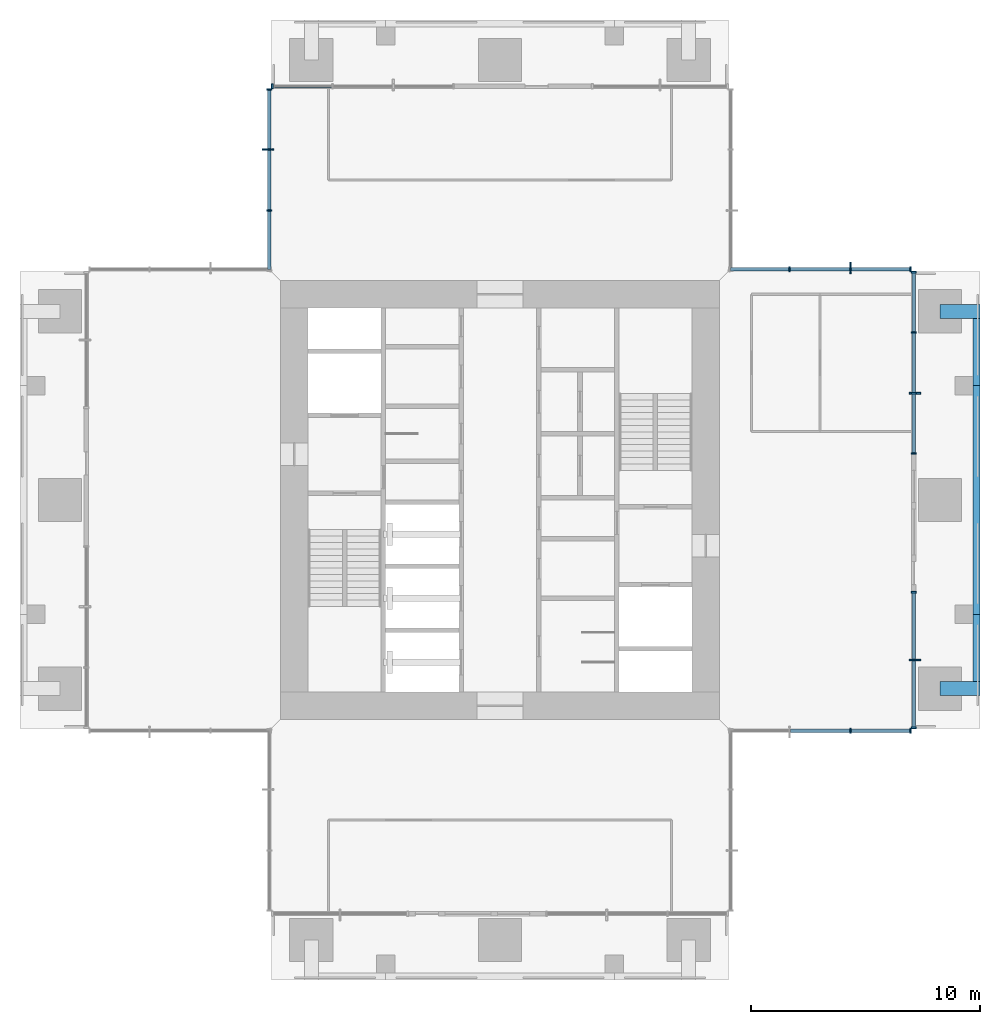
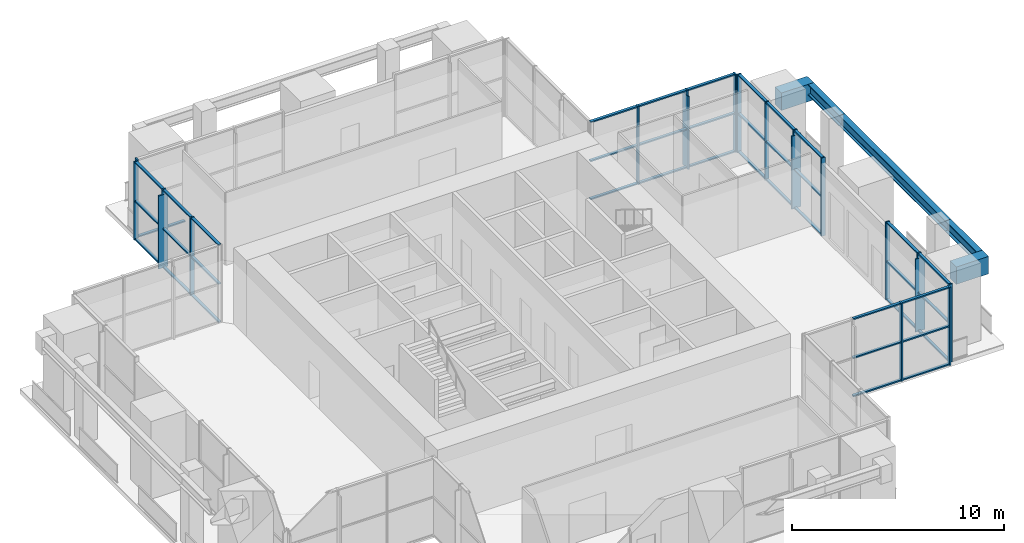
# One storey, part 4 of 11: 60 members, 5 beams, 6 elements without a shape of their own.
"""IFC4 building model written with IfcOpenShell, lengths in metres."""

from ifc_helpers import new_model, si_unit, direction, frame, origin, origin_2d, place, context, subcontext, project, spatial, rectangle, i_section, extrude, material, material_profile, profile_set, type_object, element, aggregate, save


model = new_model("IFC4")

# Units and contexts
model_context = context("Model", 3, precision=1e-05, world=origin(), true_north=direction((0.0, 1.0)))
body_context = subcontext(model_context, "Body", "Model", "MODEL_VIEW")
ifc_project = project(units=[si_unit("LENGTHUNIT", "METRE"), si_unit("AREAUNIT", "SQUARE_METRE"), si_unit("VOLUMEUNIT", "CUBIC_METRE"), si_unit("PLANEANGLEUNIT", "RADIAN"), si_unit("MASSUNIT", "GRAM", prefix="KILO")], contexts=[model_context])

# Site, building, storey
site_placement = place(None, origin())
site = spatial("IfcSite", under=ifc_project, at=site_placement, CompositionType="ELEMENT")
building_placement = place(site_placement, origin())
building = spatial("IfcBuilding", under=site, at=building_placement, Name="Svetlomir Tower", CompositionType="ELEMENT")
storey_placement = place(building_placement, frame((0.0, 0.0, 273.39990234375)))
storey = spatial("IfcBuildingStorey", under=building, at=storey_placement, Name="L65", CompositionType="ELEMENT", Elevation=273.39990234375)

# Curtain wall, member
ifc_material_1 = material(Name="Bronze anodised aluminium curtain wall", Category="aluminium")
curtain_wall_type = type_object("IfcCurtainWallType", Name="CURTAIN WALL CW4 EXECUTIVE", PredefinedType="NOTDEFINED", material=ifc_material_1)
curtain_wall_1_placement = place(storey_placement, origin())
curtain_wall_1 = element("IfcCurtainWall", 1, at=curtain_wall_1_placement, inside=storey, type_object=curtain_wall_type, Name="Curtain wall CW4 L65", PredefinedType="NOTDEFINED")
ifc_material_2 = material(Name="Bronze anodised aluminium", Category="aluminium")
ifc_material_profile_1 = material_profile(ifc_material_2, rectangle(XDim=0.080078125, YDim=0.5, at=origin_2d()), Name="FIN 80x500")
ifc_profile_set_1 = profile_set([ifc_material_profile_1], Name="Bronze anodised aluminium 6063-T6")
member_type_1 = type_object("IfcMemberType", Name="BRONZE FIN 80x500", PredefinedType="USERDEFINED", material=ifc_profile_set_1)
member_1_placement = place(storey_placement, frame((39.14990234375, 14.0, 0.0), z_axis=(0.0, 0.0, 1.0), x_axis=(0.0, 1.0, 0.0)))
member_1 = element("IfcMember", 2, at=member_1_placement, type_object=member_type_1, Name="Bronze fin L65", ObjectType="FIN", PredefinedType="USERDEFINED", context=body_context, shape_type="SweptSolid", body=[
    extrude(rectangle(XDim=0.080078125, YDim=0.5, at=origin_2d()), origin(), (0.0, 0.0, 1.0), 4.2001953125),
])

curtain_wall_2_placement = place(storey_placement, origin())
curtain_wall_2 = element("IfcCurtainWall", 3, at=curtain_wall_2_placement, inside=storey, type_object=curtain_wall_type, Name="Curtain wall CW4 L65", PredefinedType="NOTDEFINED")
member_2_placement = place(storey_placement, frame((39.14990234375, 25.666748046875, 0.0), z_axis=(0.0, 0.0, 1.0), x_axis=(0.0, 1.0, 0.0)))
member_2 = element("IfcMember", 4, at=member_2_placement, type_object=member_type_1, Name="Bronze fin L65", ObjectType="FIN", PredefinedType="USERDEFINED", context=body_context, shape_type="SweptSolid", body=[
    extrude(rectangle(XDim=0.080078125, YDim=0.5, at=origin_2d()), origin(), (0.0, 0.0, 1.0), 4.2001953125),
])

curtain_wall_3_placement = place(storey_placement, origin())
curtain_wall_3 = element("IfcCurtainWall", 5, at=curtain_wall_3_placement, inside=storey, type_object=curtain_wall_type, Name="Curtain wall CW4 L65", PredefinedType="NOTDEFINED")
member_3_placement = place(storey_placement, frame((36.333251953125, 31.14990234375, 0.0), z_axis=(0.0, 0.0, 1.0), x_axis=(1.0, 0.0, 0.0)))
member_3 = element("IfcMember", 6, at=member_3_placement, type_object=member_type_1, Name="Bronze fin L65", ObjectType="FIN", PredefinedType="USERDEFINED", context=body_context, shape_type="SweptSolid", body=[
    extrude(rectangle(XDim=0.080078125, YDim=0.5, at=origin_2d()), origin(), (0.0, 0.0, 1.0), 4.2001953125),
])

curtain_wall_4_placement = place(storey_placement, origin())
curtain_wall_4 = element("IfcCurtainWall", 7, at=curtain_wall_4_placement, inside=storey, type_object=curtain_wall_type, Name="Curtain wall CW4 L65", PredefinedType="NOTDEFINED")
member_4_placement = place(storey_placement, frame((10.85009765625, 36.333251953125, 0.0), z_axis=(0.0, 0.0, 1.0), x_axis=(0.0, 1.0, 0.0)))
member_4 = element("IfcMember", 8, at=member_4_placement, type_object=member_type_1, Name="Bronze fin L65", ObjectType="FIN", PredefinedType="USERDEFINED", context=body_context, shape_type="SweptSolid", body=[
    extrude(rectangle(XDim=0.080078125, YDim=0.5, at=origin_2d()), origin(), (0.0, 0.0, 1.0), 4.2001953125),
])

# Curtain wall, members
curtain_wall_5_placement = place(storey_placement, origin())
curtain_wall_5 = element("IfcCurtainWall", 9, at=curtain_wall_5_placement, inside=storey, type_object=curtain_wall_type, Name="Curtain wall CW4 L65", PredefinedType="NOTDEFINED")
ifc_material_3 = material(Name="Bronze anodised aluminium", Category="aluminium")
ifc_material_profile_2 = material_profile(ifc_material_3, rectangle(XDim=0.074951171875, YDim=0.219970703125, at=origin_2d()), Name="AL 75x220")
ifc_profile_set_2 = profile_set([ifc_material_profile_2], Name="Bronze anodised aluminium 6063-T6")
member_type_2 = type_object("IfcMemberType", Name="CW4 MULLION 75x220", PredefinedType="MULLION", material=ifc_profile_set_2)
member_5_placement = place(storey_placement, frame((36.333251953125, 10.89990234375, 0.0), z_axis=(0.0, 0.0, 1.0), x_axis=(1.0, 0.0, 0.0)))
member_5 = element("IfcMember", 10, at=member_5_placement, type_object=member_type_2, Name="CW4 mullion 3", PredefinedType="MULLION", context=body_context, shape_type="SweptSolid", body=[
    extrude(rectangle(XDim=0.074951171875, YDim=0.219970703125, at=origin_2d()), origin(), (0.0, 0.0, 1.0), 4.5),
])
member_6_placement = place(storey_placement, frame((38.96240234375, 10.89990234375, 0.0), z_axis=(0.0, 0.0, 1.0), x_axis=(1.0, 0.0, 0.0)))
member_6 = element("IfcMember", 11, at=member_6_placement, type_object=member_type_2, Name="CW4 mullion 4", PredefinedType="MULLION", context=body_context, shape_type="SweptSolid", body=[
    extrude(rectangle(XDim=0.074951171875, YDim=0.219970703125, at=origin_2d()), origin(), (0.0, 0.0, 1.0), 4.5),
])

# Member
member_7_placement = place(storey_placement, frame((39.10009765625, 11.03759765625, 0.0), z_axis=(0.0, 0.0, 1.0), x_axis=(0.0, 1.0, 0.0)))
member_7 = element("IfcMember", 12, at=member_7_placement, type_object=member_type_2, Name="CW4 mullion 1", PredefinedType="MULLION", context=body_context, shape_type="SweptSolid", body=[
    extrude(rectangle(XDim=0.074951171875, YDim=0.219970703125, at=origin_2d()), origin(), (0.0, 0.0, 1.0), 4.5),
])

member_8_placement = place(storey_placement, frame((39.10009765625, 14.0, 0.0), z_axis=(0.0, 0.0, 1.0), x_axis=(0.0, 1.0, 0.0)))
member_8 = element("IfcMember", 13, at=member_8_placement, type_object=member_type_2, Name="CW4 mullion 2", PredefinedType="MULLION", context=body_context, shape_type="SweptSolid", body=[
    extrude(rectangle(XDim=0.074951171875, YDim=0.219970703125, at=origin_2d()), origin(), (0.0, 0.0, 1.0), 4.5),
])

member_9_placement = place(storey_placement, frame((39.10009765625, 16.96240234375, 0.0), z_axis=(0.0, 0.0, 1.0), x_axis=(0.0, 1.0, 0.0)))
member_9 = element("IfcMember", 14, at=member_9_placement, type_object=member_type_2, Name="CW4 mullion 3", PredefinedType="MULLION", context=body_context, shape_type="SweptSolid", body=[
    extrude(rectangle(XDim=0.074951171875, YDim=0.219970703125, at=origin_2d()), origin(), (0.0, 0.0, 1.0), 4.5),
])

member_10_placement = place(storey_placement, frame((39.10009765625, 23.03759765625, 0.0), z_axis=(0.0, 0.0, 1.0), x_axis=(0.0, 1.0, 0.0)))
member_10 = element("IfcMember", 15, at=member_10_placement, type_object=member_type_2, Name="CW4 mullion 1", PredefinedType="MULLION", context=body_context, shape_type="SweptSolid", body=[
    extrude(rectangle(XDim=0.074951171875, YDim=0.219970703125, at=origin_2d()), origin(), (0.0, 0.0, 1.0), 4.5),
])

member_11_placement = place(storey_placement, frame((39.10009765625, 25.666748046875, 0.0), z_axis=(0.0, 0.0, 1.0), x_axis=(0.0, 1.0, 0.0)))
member_11 = element("IfcMember", 16, at=member_11_placement, type_object=member_type_2, Name="CW4 mullion 2", PredefinedType="MULLION", context=body_context, shape_type="SweptSolid", body=[
    extrude(rectangle(XDim=0.074951171875, YDim=0.219970703125, at=origin_2d()), origin(), (0.0, 0.0, 1.0), 4.5),
])

member_12_placement = place(storey_placement, frame((39.10009765625, 28.333251953125, 0.0), z_axis=(0.0, 0.0, 1.0), x_axis=(0.0, 1.0, 0.0)))
member_12 = element("IfcMember", 17, at=member_12_placement, type_object=member_type_2, Name="CW4 mullion 3", PredefinedType="MULLION", context=body_context, shape_type="SweptSolid", body=[
    extrude(rectangle(XDim=0.074951171875, YDim=0.219970703125, at=origin_2d()), origin(), (0.0, 0.0, 1.0), 4.5),
])

member_13_placement = place(storey_placement, frame((39.10009765625, 30.96240234375, 0.0), z_axis=(0.0, 0.0, 1.0), x_axis=(0.0, 1.0, 0.0)))
member_13 = element("IfcMember", 18, at=member_13_placement, type_object=member_type_2, Name="CW4 mullion 4", PredefinedType="MULLION", context=body_context, shape_type="SweptSolid", body=[
    extrude(rectangle(XDim=0.074951171875, YDim=0.219970703125, at=origin_2d()), origin(), (0.0, 0.0, 1.0), 4.5),
])

member_14_placement = place(storey_placement, frame((38.96240234375, 31.10009765625, 0.0), z_axis=(0.0, 0.0, 1.0), x_axis=(-1.0, 0.0, 0.0)))
member_14 = element("IfcMember", 19, at=member_14_placement, type_object=member_type_2, Name="CW4 mullion 1", PredefinedType="MULLION", context=body_context, shape_type="SweptSolid", body=[
    extrude(rectangle(XDim=0.074951171875, YDim=0.219970703125, at=origin_2d()), origin(), (0.0, 0.0, 1.0), 4.5),
])

member_15_placement = place(storey_placement, frame((36.333251953125, 31.10009765625, 0.0), z_axis=(0.0, 0.0, 1.0), x_axis=(-1.0, 0.0, 0.0)))
member_15 = element("IfcMember", 20, at=member_15_placement, type_object=member_type_2, Name="CW4 mullion 2", PredefinedType="MULLION", context=body_context, shape_type="SweptSolid", body=[
    extrude(rectangle(XDim=0.074951171875, YDim=0.219970703125, at=origin_2d()), origin(), (0.0, 0.0, 1.0), 4.5),
])

member_16_placement = place(storey_placement, frame((33.666748046875, 31.10009765625, 0.0), z_axis=(0.0, 0.0, 1.0), x_axis=(-1.0, 0.0, 0.0)))
member_16 = element("IfcMember", 21, at=member_16_placement, type_object=member_type_2, Name="CW4 mullion 3", PredefinedType="MULLION", context=body_context, shape_type="SweptSolid", body=[
    extrude(rectangle(XDim=0.074951171875, YDim=0.219970703125, at=origin_2d()), origin(), (0.0, 0.0, 1.0), 4.5),
])

# Curtain wall, member
curtain_wall_6_placement = place(storey_placement, origin())
curtain_wall_6 = element("IfcCurtainWall", 22, at=curtain_wall_6_placement, inside=storey, type_object=curtain_wall_type, Name="Curtain wall CW4 L65", PredefinedType="NOTDEFINED")
member_17_placement = place(storey_placement, frame((11.03759765625, 39.10009765625, 0.0), z_axis=(0.0, 0.0, 1.0), x_axis=(-1.0, 0.0, 0.0)))
member_17 = element("IfcMember", 23, at=member_17_placement, type_object=member_type_2, Name="CW4 mullion 4", PredefinedType="MULLION", context=body_context, shape_type="SweptSolid", body=[
    extrude(rectangle(XDim=0.074951171875, YDim=0.219970703125, at=origin_2d()), origin(), (0.0, 0.0, 1.0), 4.5),
])

# Member
member_18_placement = place(storey_placement, frame((10.89990234375, 38.96240234375, 0.0), z_axis=(0.0, 0.0, 1.0), x_axis=(0.0, -1.0, 0.0)))
member_18 = element("IfcMember", 24, at=member_18_placement, type_object=member_type_2, Name="CW4 mullion 1", PredefinedType="MULLION", context=body_context, shape_type="SweptSolid", body=[
    extrude(rectangle(XDim=0.074951171875, YDim=0.219970703125, at=origin_2d()), origin(), (0.0, 0.0, 1.0), 4.5),
])

member_19_placement = place(storey_placement, frame((10.89990234375, 36.333251953125, 0.0), z_axis=(0.0, 0.0, 1.0), x_axis=(0.0, -1.0, 0.0)))
member_19 = element("IfcMember", 25, at=member_19_placement, type_object=member_type_2, Name="CW4 mullion 2", PredefinedType="MULLION", context=body_context, shape_type="SweptSolid", body=[
    extrude(rectangle(XDim=0.074951171875, YDim=0.219970703125, at=origin_2d()), origin(), (0.0, 0.0, 1.0), 4.5),
])

member_20_placement = place(storey_placement, frame((10.89990234375, 33.666748046875, 0.0), z_axis=(0.0, 0.0, 1.0), x_axis=(0.0, -1.0, 0.0)))
member_20 = element("IfcMember", 26, at=member_20_placement, type_object=member_type_2, Name="CW4 mullion 3", PredefinedType="MULLION", context=body_context, shape_type="SweptSolid", body=[
    extrude(rectangle(XDim=0.074951171875, YDim=0.219970703125, at=origin_2d()), origin(), (0.0, 0.0, 1.0), 4.5),
])

ifc_material_4 = material(Name="Bronze anodised aluminium", Category="aluminium")
ifc_material_profile_3 = material_profile(ifc_material_4, rectangle(XDim=0.14990234375, YDim=0.074951171875, at=origin_2d()), Name="AL 150x75")
ifc_profile_set_3 = profile_set([ifc_material_profile_3], Name="Bronze anodised aluminium 6063-T6")
member_type_3 = type_object("IfcMemberType", Name="CW4 TRANSOM 75x150", PredefinedType="USERDEFINED", material=ifc_profile_set_3)
member_21_placement = place(storey_placement, frame((33.7041015625, 10.89990234375, 0.03759765625), z_axis=(1.0, 0.0, 0.0), x_axis=(0.0, 1.0, 0.0)))
member_21 = element("IfcMember", 27, at=member_21_placement, type_object=member_type_3, Name="CW4 transom 2.1", ObjectType="TRANSOM", PredefinedType="USERDEFINED", context=body_context, shape_type="SweptSolid", body=[
    extrude(rectangle(XDim=0.14990234375, YDim=0.074951171875, at=origin_2d()), origin(), (0.0, 0.0, 1.0), 2.591796875),
])

member_22_placement = place(storey_placement, frame((33.7041015625, 10.89990234375, 2.231201171875), z_axis=(1.0, 0.0, 0.0), x_axis=(0.0, 1.0, 0.0)))
member_22 = element("IfcMember", 28, at=member_22_placement, type_object=member_type_3, Name="CW4 transom 2.2", ObjectType="TRANSOM", PredefinedType="USERDEFINED", context=body_context, shape_type="SweptSolid", body=[
    extrude(rectangle(XDim=0.14990234375, YDim=0.074951171875, at=origin_2d()), origin(), (0.0, 0.0, 1.0), 2.591796875),
])

member_23_placement = place(storey_placement, frame((33.7041015625, 10.89990234375, 4.462646484375), z_axis=(1.0, 0.0, 0.0), x_axis=(0.0, 1.0, 0.0)))
member_23 = element("IfcMember", 29, at=member_23_placement, type_object=member_type_3, Name="CW4 transom 2.3", ObjectType="TRANSOM", PredefinedType="USERDEFINED", context=body_context, shape_type="SweptSolid", body=[
    extrude(rectangle(XDim=0.14990234375, YDim=0.074951171875, at=origin_2d()), origin(), (0.0, 0.0, 1.0), 2.591796875),
])

member_24_placement = place(storey_placement, frame((36.370849609375, 10.89990234375, 0.03759765625), z_axis=(1.0, 0.0, 0.0), x_axis=(0.0, 1.0, 0.0)))
member_24 = element("IfcMember", 30, at=member_24_placement, type_object=member_type_3, Name="CW4 transom 3.1", ObjectType="TRANSOM", PredefinedType="USERDEFINED", context=body_context, shape_type="SweptSolid", body=[
    extrude(rectangle(XDim=0.14990234375, YDim=0.074951171875, at=origin_2d()), origin(), (0.0, 0.0, 1.0), 2.55419921875),
])

member_25_placement = place(storey_placement, frame((36.370849609375, 10.89990234375, 2.231201171875), z_axis=(1.0, 0.0, 0.0), x_axis=(0.0, 1.0, 0.0)))
member_25 = element("IfcMember", 31, at=member_25_placement, type_object=member_type_3, Name="CW4 transom 3.2", ObjectType="TRANSOM", PredefinedType="USERDEFINED", context=body_context, shape_type="SweptSolid", body=[
    extrude(rectangle(XDim=0.14990234375, YDim=0.074951171875, at=origin_2d()), origin(), (0.0, 0.0, 1.0), 2.55419921875),
])

member_26_placement = place(storey_placement, frame((36.370849609375, 10.89990234375, 4.462646484375), z_axis=(1.0, 0.0, 0.0), x_axis=(0.0, 1.0, 0.0)))
member_26 = element("IfcMember", 32, at=member_26_placement, type_object=member_type_3, Name="CW4 transom 3.3", ObjectType="TRANSOM", PredefinedType="USERDEFINED", context=body_context, shape_type="SweptSolid", body=[
    extrude(rectangle(XDim=0.14990234375, YDim=0.074951171875, at=origin_2d()), origin(), (0.0, 0.0, 1.0), 2.55419921875),
])

aggregate(curtain_wall_5, [member_5, member_6, member_21, member_22, member_23, member_24, member_25, member_26])

member_27_placement = place(storey_placement, frame((39.10009765625, 11.074951171875, 0.03759765625), z_axis=(0.0, 1.0, 0.0), x_axis=(-1.0, 0.0, 0.0)))
member_27 = element("IfcMember", 33, at=member_27_placement, type_object=member_type_3, Name="CW4 transom 1.1", ObjectType="TRANSOM", PredefinedType="USERDEFINED", context=body_context, shape_type="SweptSolid", body=[
    extrude(rectangle(XDim=0.14990234375, YDim=0.074951171875, at=origin_2d()), origin(), (0.0, 0.0, 1.0), 2.887451171875),
])

member_28_placement = place(storey_placement, frame((39.10009765625, 11.074951171875, 2.231201171875), z_axis=(0.0, 1.0, 0.0), x_axis=(-1.0, 0.0, 0.0)))
member_28 = element("IfcMember", 34, at=member_28_placement, type_object=member_type_3, Name="CW4 transom 1.2", ObjectType="TRANSOM", PredefinedType="USERDEFINED", context=body_context, shape_type="SweptSolid", body=[
    extrude(rectangle(XDim=0.14990234375, YDim=0.074951171875, at=origin_2d()), origin(), (0.0, 0.0, 1.0), 2.887451171875),
])

member_29_placement = place(storey_placement, frame((39.10009765625, 11.074951171875, 4.462646484375), z_axis=(0.0, 1.0, 0.0), x_axis=(-1.0, 0.0, 0.0)))
member_29 = element("IfcMember", 35, at=member_29_placement, type_object=member_type_3, Name="CW4 transom 1.3", ObjectType="TRANSOM", PredefinedType="USERDEFINED", context=body_context, shape_type="SweptSolid", body=[
    extrude(rectangle(XDim=0.14990234375, YDim=0.074951171875, at=origin_2d()), origin(), (0.0, 0.0, 1.0), 2.887451171875),
])

member_30_placement = place(storey_placement, frame((39.10009765625, 14.03759765625, 0.03759765625), z_axis=(0.0, 1.0, 0.0), x_axis=(-1.0, 0.0, 0.0)))
member_30 = element("IfcMember", 36, at=member_30_placement, type_object=member_type_3, Name="CW4 transom 2.1", ObjectType="TRANSOM", PredefinedType="USERDEFINED", context=body_context, shape_type="SweptSolid", body=[
    extrude(rectangle(XDim=0.14990234375, YDim=0.074951171875, at=origin_2d()), origin(), (0.0, 0.0, 1.0), 2.887451171875),
])

member_31_placement = place(storey_placement, frame((39.10009765625, 14.03759765625, 2.231201171875), z_axis=(0.0, 1.0, 0.0), x_axis=(-1.0, 0.0, 0.0)))
member_31 = element("IfcMember", 37, at=member_31_placement, type_object=member_type_3, Name="CW4 transom 2.2", ObjectType="TRANSOM", PredefinedType="USERDEFINED", context=body_context, shape_type="SweptSolid", body=[
    extrude(rectangle(XDim=0.14990234375, YDim=0.074951171875, at=origin_2d()), origin(), (0.0, 0.0, 1.0), 2.887451171875),
])

member_32_placement = place(storey_placement, frame((39.10009765625, 14.03759765625, 4.462646484375), z_axis=(0.0, 1.0, 0.0), x_axis=(-1.0, 0.0, 0.0)))
member_32 = element("IfcMember", 38, at=member_32_placement, type_object=member_type_3, Name="CW4 transom 2.3", ObjectType="TRANSOM", PredefinedType="USERDEFINED", context=body_context, shape_type="SweptSolid", body=[
    extrude(rectangle(XDim=0.14990234375, YDim=0.074951171875, at=origin_2d()), origin(), (0.0, 0.0, 1.0), 2.887451171875),
])

aggregate(curtain_wall_1, [member_7, member_8, member_9, member_27, member_28, member_29, member_30, member_31, member_32, member_1])

member_33_placement = place(storey_placement, frame((39.10009765625, 23.074951171875, 0.03759765625), z_axis=(0.0, 1.0, 0.0), x_axis=(-1.0, 0.0, 0.0)))
member_33 = element("IfcMember", 39, at=member_33_placement, type_object=member_type_3, Name="CW4 transom 1.1", ObjectType="TRANSOM", PredefinedType="USERDEFINED", context=body_context, shape_type="SweptSolid", body=[
    extrude(rectangle(XDim=0.14990234375, YDim=0.074951171875, at=origin_2d()), origin(), (0.0, 0.0, 1.0), 2.55419921875),
])

member_34_placement = place(storey_placement, frame((39.10009765625, 23.074951171875, 2.231201171875), z_axis=(0.0, 1.0, 0.0), x_axis=(-1.0, 0.0, 0.0)))
member_34 = element("IfcMember", 40, at=member_34_placement, type_object=member_type_3, Name="CW4 transom 1.2", ObjectType="TRANSOM", PredefinedType="USERDEFINED", context=body_context, shape_type="SweptSolid", body=[
    extrude(rectangle(XDim=0.14990234375, YDim=0.074951171875, at=origin_2d()), origin(), (0.0, 0.0, 1.0), 2.55419921875),
])

member_35_placement = place(storey_placement, frame((39.10009765625, 23.074951171875, 4.462646484375), z_axis=(0.0, 1.0, 0.0), x_axis=(-1.0, 0.0, 0.0)))
member_35 = element("IfcMember", 41, at=member_35_placement, type_object=member_type_3, Name="CW4 transom 1.3", ObjectType="TRANSOM", PredefinedType="USERDEFINED", context=body_context, shape_type="SweptSolid", body=[
    extrude(rectangle(XDim=0.14990234375, YDim=0.074951171875, at=origin_2d()), origin(), (0.0, 0.0, 1.0), 2.55419921875),
])

member_36_placement = place(storey_placement, frame((39.10009765625, 25.7041015625, 0.03759765625), z_axis=(0.0, 1.0, 0.0), x_axis=(-1.0, 0.0, 0.0)))
member_36 = element("IfcMember", 42, at=member_36_placement, type_object=member_type_3, Name="CW4 transom 2.1", ObjectType="TRANSOM", PredefinedType="USERDEFINED", context=body_context, shape_type="SweptSolid", body=[
    extrude(rectangle(XDim=0.14990234375, YDim=0.074951171875, at=origin_2d()), origin(), (0.0, 0.0, 1.0), 2.591796875),
])

member_37_placement = place(storey_placement, frame((39.10009765625, 25.7041015625, 2.231201171875), z_axis=(0.0, 1.0, 0.0), x_axis=(-1.0, 0.0, 0.0)))
member_37 = element("IfcMember", 43, at=member_37_placement, type_object=member_type_3, Name="CW4 transom 2.2", ObjectType="TRANSOM", PredefinedType="USERDEFINED", context=body_context, shape_type="SweptSolid", body=[
    extrude(rectangle(XDim=0.14990234375, YDim=0.074951171875, at=origin_2d()), origin(), (0.0, 0.0, 1.0), 2.591796875),
])

member_38_placement = place(storey_placement, frame((39.10009765625, 25.7041015625, 4.462646484375), z_axis=(0.0, 1.0, 0.0), x_axis=(-1.0, 0.0, 0.0)))
member_38 = element("IfcMember", 44, at=member_38_placement, type_object=member_type_3, Name="CW4 transom 2.3", ObjectType="TRANSOM", PredefinedType="USERDEFINED", context=body_context, shape_type="SweptSolid", body=[
    extrude(rectangle(XDim=0.14990234375, YDim=0.074951171875, at=origin_2d()), origin(), (0.0, 0.0, 1.0), 2.591796875),
])

member_39_placement = place(storey_placement, frame((39.10009765625, 28.370849609375, 0.03759765625), z_axis=(0.0, 1.0, 0.0), x_axis=(-1.0, 0.0, 0.0)))
member_39 = element("IfcMember", 45, at=member_39_placement, type_object=member_type_3, Name="CW4 transom 3.1", ObjectType="TRANSOM", PredefinedType="USERDEFINED", context=body_context, shape_type="SweptSolid", body=[
    extrude(rectangle(XDim=0.14990234375, YDim=0.074951171875, at=origin_2d()), origin(), (0.0, 0.0, 1.0), 2.55419921875),
])

member_40_placement = place(storey_placement, frame((39.10009765625, 28.370849609375, 2.231201171875), z_axis=(0.0, 1.0, 0.0), x_axis=(-1.0, 0.0, 0.0)))
member_40 = element("IfcMember", 46, at=member_40_placement, type_object=member_type_3, Name="CW4 transom 3.2", ObjectType="TRANSOM", PredefinedType="USERDEFINED", context=body_context, shape_type="SweptSolid", body=[
    extrude(rectangle(XDim=0.14990234375, YDim=0.074951171875, at=origin_2d()), origin(), (0.0, 0.0, 1.0), 2.55419921875),
])

member_41_placement = place(storey_placement, frame((39.10009765625, 28.370849609375, 4.462646484375), z_axis=(0.0, 1.0, 0.0), x_axis=(-1.0, 0.0, 0.0)))
member_41 = element("IfcMember", 47, at=member_41_placement, type_object=member_type_3, Name="CW4 transom 3.3", ObjectType="TRANSOM", PredefinedType="USERDEFINED", context=body_context, shape_type="SweptSolid", body=[
    extrude(rectangle(XDim=0.14990234375, YDim=0.074951171875, at=origin_2d()), origin(), (0.0, 0.0, 1.0), 2.55419921875),
])

aggregate(curtain_wall_2, [member_10, member_11, member_12, member_13, member_33, member_34, member_35, member_36, member_37, member_38, member_39, member_40, member_41, member_2])

member_42_placement = place(storey_placement, frame((38.925048828125, 31.10009765625, 0.03759765625), z_axis=(-1.0, 0.0, 0.0), x_axis=(0.0, -1.0, 0.0)))
member_42 = element("IfcMember", 48, at=member_42_placement, type_object=member_type_3, Name="CW4 transom 1.1", ObjectType="TRANSOM", PredefinedType="USERDEFINED", context=body_context, shape_type="SweptSolid", body=[
    extrude(rectangle(XDim=0.14990234375, YDim=0.074951171875, at=origin_2d()), origin(), (0.0, 0.0, 1.0), 2.55419921875),
])

member_43_placement = place(storey_placement, frame((38.925048828125, 31.10009765625, 2.231201171875), z_axis=(-1.0, 0.0, 0.0), x_axis=(0.0, -1.0, 0.0)))
member_43 = element("IfcMember", 49, at=member_43_placement, type_object=member_type_3, Name="CW4 transom 1.2", ObjectType="TRANSOM", PredefinedType="USERDEFINED", context=body_context, shape_type="SweptSolid", body=[
    extrude(rectangle(XDim=0.14990234375, YDim=0.074951171875, at=origin_2d()), origin(), (0.0, 0.0, 1.0), 2.55419921875),
])

member_44_placement = place(storey_placement, frame((38.925048828125, 31.10009765625, 4.462646484375), z_axis=(-1.0, 0.0, 0.0), x_axis=(0.0, -1.0, 0.0)))
member_44 = element("IfcMember", 50, at=member_44_placement, type_object=member_type_3, Name="CW4 transom 1.3", ObjectType="TRANSOM", PredefinedType="USERDEFINED", context=body_context, shape_type="SweptSolid", body=[
    extrude(rectangle(XDim=0.14990234375, YDim=0.074951171875, at=origin_2d()), origin(), (0.0, 0.0, 1.0), 2.55419921875),
])

member_45_placement = place(storey_placement, frame((36.2958984375, 31.10009765625, 0.03759765625), z_axis=(-1.0, 0.0, 0.0), x_axis=(0.0, -1.0, 0.0)))
member_45 = element("IfcMember", 51, at=member_45_placement, type_object=member_type_3, Name="CW4 transom 2.1", ObjectType="TRANSOM", PredefinedType="USERDEFINED", context=body_context, shape_type="SweptSolid", body=[
    extrude(rectangle(XDim=0.14990234375, YDim=0.074951171875, at=origin_2d()), origin(), (0.0, 0.0, 1.0), 2.591796875),
])

member_46_placement = place(storey_placement, frame((36.2958984375, 31.10009765625, 2.231201171875), z_axis=(-1.0, 0.0, 0.0), x_axis=(0.0, -1.0, 0.0)))
member_46 = element("IfcMember", 52, at=member_46_placement, type_object=member_type_3, Name="CW4 transom 2.2", ObjectType="TRANSOM", PredefinedType="USERDEFINED", context=body_context, shape_type="SweptSolid", body=[
    extrude(rectangle(XDim=0.14990234375, YDim=0.074951171875, at=origin_2d()), origin(), (0.0, 0.0, 1.0), 2.591796875),
])

member_47_placement = place(storey_placement, frame((36.2958984375, 31.10009765625, 4.462646484375), z_axis=(-1.0, 0.0, 0.0), x_axis=(0.0, -1.0, 0.0)))
member_47 = element("IfcMember", 53, at=member_47_placement, type_object=member_type_3, Name="CW4 transom 2.3", ObjectType="TRANSOM", PredefinedType="USERDEFINED", context=body_context, shape_type="SweptSolid", body=[
    extrude(rectangle(XDim=0.14990234375, YDim=0.074951171875, at=origin_2d()), origin(), (0.0, 0.0, 1.0), 2.591796875),
])

member_48_placement = place(storey_placement, frame((33.629150390625, 31.10009765625, 0.03759765625), z_axis=(-1.0, 0.0, 0.0), x_axis=(0.0, -1.0, 0.0)))
member_48 = element("IfcMember", 54, at=member_48_placement, type_object=member_type_3, Name="CW4 transom 3.1", ObjectType="TRANSOM", PredefinedType="USERDEFINED", context=body_context, shape_type="SweptSolid", body=[
    extrude(rectangle(XDim=0.14990234375, YDim=0.074951171875, at=origin_2d()), origin(), (0.0, 0.0, 1.0), 2.55419921875),
])

member_49_placement = place(storey_placement, frame((33.629150390625, 31.10009765625, 2.231201171875), z_axis=(-1.0, 0.0, 0.0), x_axis=(0.0, -1.0, 0.0)))
member_49 = element("IfcMember", 55, at=member_49_placement, type_object=member_type_3, Name="CW4 transom 3.2", ObjectType="TRANSOM", PredefinedType="USERDEFINED", context=body_context, shape_type="SweptSolid", body=[
    extrude(rectangle(XDim=0.14990234375, YDim=0.074951171875, at=origin_2d()), origin(), (0.0, 0.0, 1.0), 2.55419921875),
])

member_50_placement = place(storey_placement, frame((33.629150390625, 31.10009765625, 4.462646484375), z_axis=(-1.0, 0.0, 0.0), x_axis=(0.0, -1.0, 0.0)))
member_50 = element("IfcMember", 56, at=member_50_placement, type_object=member_type_3, Name="CW4 transom 3.3", ObjectType="TRANSOM", PredefinedType="USERDEFINED", context=body_context, shape_type="SweptSolid", body=[
    extrude(rectangle(XDim=0.14990234375, YDim=0.074951171875, at=origin_2d()), origin(), (0.0, 0.0, 1.0), 2.55419921875),
])

aggregate(curtain_wall_3, [member_14, member_15, member_16, member_42, member_43, member_44, member_45, member_46, member_47, member_48, member_49, member_50, member_3])

member_51_placement = place(storey_placement, frame((13.629150390625, 39.10009765625, 0.03759765625), z_axis=(-1.0, 0.0, 0.0), x_axis=(0.0, -1.0, 0.0)))
member_51 = element("IfcMember", 57, at=member_51_placement, type_object=member_type_3, Name="CW4 transom 3.1", ObjectType="TRANSOM", PredefinedType="USERDEFINED", context=body_context, shape_type="SweptSolid", body=[
    extrude(rectangle(XDim=0.14990234375, YDim=0.074951171875, at=origin_2d()), origin(), (0.0, 0.0, 1.0), 2.55419921875),
])

aggregate(curtain_wall_6, [member_17, member_51])

member_52_placement = place(storey_placement, frame((10.89990234375, 38.925048828125, 0.03759765625), z_axis=(0.0, -1.0, 0.0), x_axis=(1.0, 0.0, 0.0)))
member_52 = element("IfcMember", 58, at=member_52_placement, type_object=member_type_3, Name="CW4 transom 1.1", ObjectType="TRANSOM", PredefinedType="USERDEFINED", context=body_context, shape_type="SweptSolid", body=[
    extrude(rectangle(XDim=0.14990234375, YDim=0.074951171875, at=origin_2d()), origin(), (0.0, 0.0, 1.0), 2.55419921875),
])

member_53_placement = place(storey_placement, frame((10.89990234375, 38.925048828125, 2.231201171875), z_axis=(0.0, -1.0, 0.0), x_axis=(1.0, 0.0, 0.0)))
member_53 = element("IfcMember", 59, at=member_53_placement, type_object=member_type_3, Name="CW4 transom 1.2", ObjectType="TRANSOM", PredefinedType="USERDEFINED", context=body_context, shape_type="SweptSolid", body=[
    extrude(rectangle(XDim=0.14990234375, YDim=0.074951171875, at=origin_2d()), origin(), (0.0, 0.0, 1.0), 2.55419921875),
])

member_54_placement = place(storey_placement, frame((10.89990234375, 38.925048828125, 4.462646484375), z_axis=(0.0, -1.0, 0.0), x_axis=(1.0, 0.0, 0.0)))
member_54 = element("IfcMember", 60, at=member_54_placement, type_object=member_type_3, Name="CW4 transom 1.3", ObjectType="TRANSOM", PredefinedType="USERDEFINED", context=body_context, shape_type="SweptSolid", body=[
    extrude(rectangle(XDim=0.14990234375, YDim=0.074951171875, at=origin_2d()), origin(), (0.0, 0.0, 1.0), 2.55419921875),
])

member_55_placement = place(storey_placement, frame((10.89990234375, 36.2958984375, 0.03759765625), z_axis=(0.0, -1.0, 0.0), x_axis=(1.0, 0.0, 0.0)))
member_55 = element("IfcMember", 61, at=member_55_placement, type_object=member_type_3, Name="CW4 transom 2.1", ObjectType="TRANSOM", PredefinedType="USERDEFINED", context=body_context, shape_type="SweptSolid", body=[
    extrude(rectangle(XDim=0.14990234375, YDim=0.074951171875, at=origin_2d()), origin(), (0.0, 0.0, 1.0), 2.591796875),
])

member_56_placement = place(storey_placement, frame((10.89990234375, 36.2958984375, 2.231201171875), z_axis=(0.0, -1.0, 0.0), x_axis=(1.0, 0.0, 0.0)))
member_56 = element("IfcMember", 62, at=member_56_placement, type_object=member_type_3, Name="CW4 transom 2.2", ObjectType="TRANSOM", PredefinedType="USERDEFINED", context=body_context, shape_type="SweptSolid", body=[
    extrude(rectangle(XDim=0.14990234375, YDim=0.074951171875, at=origin_2d()), origin(), (0.0, 0.0, 1.0), 2.591796875),
])

member_57_placement = place(storey_placement, frame((10.89990234375, 36.2958984375, 4.462646484375), z_axis=(0.0, -1.0, 0.0), x_axis=(1.0, 0.0, 0.0)))
member_57 = element("IfcMember", 63, at=member_57_placement, type_object=member_type_3, Name="CW4 transom 2.3", ObjectType="TRANSOM", PredefinedType="USERDEFINED", context=body_context, shape_type="SweptSolid", body=[
    extrude(rectangle(XDim=0.14990234375, YDim=0.074951171875, at=origin_2d()), origin(), (0.0, 0.0, 1.0), 2.591796875),
])

member_58_placement = place(storey_placement, frame((10.89990234375, 33.629150390625, 0.03759765625), z_axis=(0.0, -1.0, 0.0), x_axis=(1.0, 0.0, 0.0)))
member_58 = element("IfcMember", 64, at=member_58_placement, type_object=member_type_3, Name="CW4 transom 3.1", ObjectType="TRANSOM", PredefinedType="USERDEFINED", context=body_context, shape_type="SweptSolid", body=[
    extrude(rectangle(XDim=0.14990234375, YDim=0.074951171875, at=origin_2d()), origin(), (0.0, 0.0, 1.0), 2.55419921875),
])

member_59_placement = place(storey_placement, frame((10.89990234375, 33.629150390625, 2.231201171875), z_axis=(0.0, -1.0, 0.0), x_axis=(1.0, 0.0, 0.0)))
member_59 = element("IfcMember", 65, at=member_59_placement, type_object=member_type_3, Name="CW4 transom 3.2", ObjectType="TRANSOM", PredefinedType="USERDEFINED", context=body_context, shape_type="SweptSolid", body=[
    extrude(rectangle(XDim=0.14990234375, YDim=0.074951171875, at=origin_2d()), origin(), (0.0, 0.0, 1.0), 2.55419921875),
])

member_60_placement = place(storey_placement, frame((10.89990234375, 33.629150390625, 4.462646484375), z_axis=(0.0, -1.0, 0.0), x_axis=(1.0, 0.0, 0.0)))
member_60 = element("IfcMember", 66, at=member_60_placement, type_object=member_type_3, Name="CW4 transom 3.3", ObjectType="TRANSOM", PredefinedType="USERDEFINED", context=body_context, shape_type="SweptSolid", body=[
    extrude(rectangle(XDim=0.14990234375, YDim=0.074951171875, at=origin_2d()), origin(), (0.0, 0.0, 1.0), 2.55419921875),
])

aggregate(curtain_wall_4, [member_18, member_19, member_20, member_52, member_53, member_54, member_55, member_56, member_57, member_58, member_59, member_60, member_4])

# Beams
ifc_material_5 = material(Name="Steel S355", Category="steel")
ifc_material_profile_4 = material_profile(ifc_material_5, i_section(OverallWidth=0.304931640625, OverallDepth=0.6201171875, WebThickness=0.02099609375, FlangeThickness=0.0400390625, FilletRadius=0.027099609375, at=origin_2d()), Name="HEM 600")
ifc_profile_set_4 = profile_set([ifc_material_profile_4], Name="Steel S355")
beam_type_1 = type_object("IfcBeamType", Name="EDGE BEAM HEM 600", PredefinedType="SPANDREL", material=ifc_profile_set_4)
beam_1_placement = place(storey_placement, frame((41.847412109375, 13.050048828125, 3.89013671875), z_axis=(0.0, 1.0, 0.0), x_axis=(-1.0, 0.0, 0.0)))
element("IfcBeam", 67, at=beam_1_placement, inside=storey, type_object=beam_type_1, Name="Edge beam 42/11 to 42/16 under L66", PredefinedType="SPANDREL", context=body_context, shape_type="SweptSolid", body=[
    extrude(i_section(OverallWidth=0.304931640625, OverallDepth=0.6201171875, WebThickness=0.02099609375, FlangeThickness=0.0400390625, FilletRadius=0.027099609375, at=origin_2d()), origin(), (0.0, 0.0, 1.0), 2.949951171875),
])
beam_2_placement = place(storey_placement, frame((41.847412109375, 16.0, 3.89013671875), z_axis=(0.0, 1.0, 0.0), x_axis=(-1.0, 0.0, 0.0)))
element("IfcBeam", 68, at=beam_2_placement, inside=storey, type_object=beam_type_1, Name="Edge beam 42/16 to 42/26 under L66", PredefinedType="SPANDREL", context=body_context, shape_type="SweptSolid", body=[
    extrude(i_section(OverallWidth=0.304931640625, OverallDepth=0.6201171875, WebThickness=0.02099609375, FlangeThickness=0.0400390625, FilletRadius=0.027099609375, at=origin_2d()), origin(), (0.0, 0.0, 1.0), 10.0),
])
beam_3_placement = place(storey_placement, frame((41.847412109375, 26.0, 3.89013671875), z_axis=(0.0, 1.0, 0.0), x_axis=(-1.0, 0.0, 0.0)))
element("IfcBeam", 69, at=beam_3_placement, inside=storey, type_object=beam_type_1, Name="Edge beam 42/26 to 42/31 under L66", PredefinedType="SPANDREL", context=body_context, shape_type="SweptSolid", body=[
    extrude(i_section(OverallWidth=0.304931640625, OverallDepth=0.6201171875, WebThickness=0.02099609375, FlangeThickness=0.0400390625, FilletRadius=0.027099609375, at=origin_2d()), origin(), (0.0, 0.0, 1.0), 2.949951171875),
])
ifc_material_6 = material(Name="Concrete C60/75", Category="concrete")
ifc_material_profile_5 = material_profile(ifc_material_6, rectangle(XDim=0.60009765625, YDim=1.0, at=origin_2d()), Name="RC 600x1000")
ifc_profile_set_5 = profile_set([ifc_material_profile_5], Name="Concrete C60/75")
beam_type_2 = type_object("IfcBeamType", Name="EDGE LINK BEAM RC 600x1000", PredefinedType="BEAM", material=ifc_profile_set_5)
for number, where, z_axis, x_axis, name in (
    (70, (40.25, 12.75, 3.7001953125), (1.0, 0.0, 0.0), (0.0, 1.0, 0.0), "Edge link beam E 42/11 under L66"),
    (71, (40.25, 29.25, 3.7001953125), (1.0, 0.0, 0.0), (0.0, 1.0, 0.0), "Edge link beam E 42/31 under L66"),
):
    element("IfcBeam", number, at=place(storey_placement, frame(where, z_axis=z_axis, x_axis=x_axis)), inside=storey, type_object=beam_type_2, Name=name, PredefinedType="BEAM", context=body_context, shape_type="SweptSolid", body=[
        extrude(rectangle(XDim=0.60009765625, YDim=1.0, at=origin_2d()), origin(), (0.0, 0.0, 1.0), 1.75),
    ])

save(model, "model.ifc")
